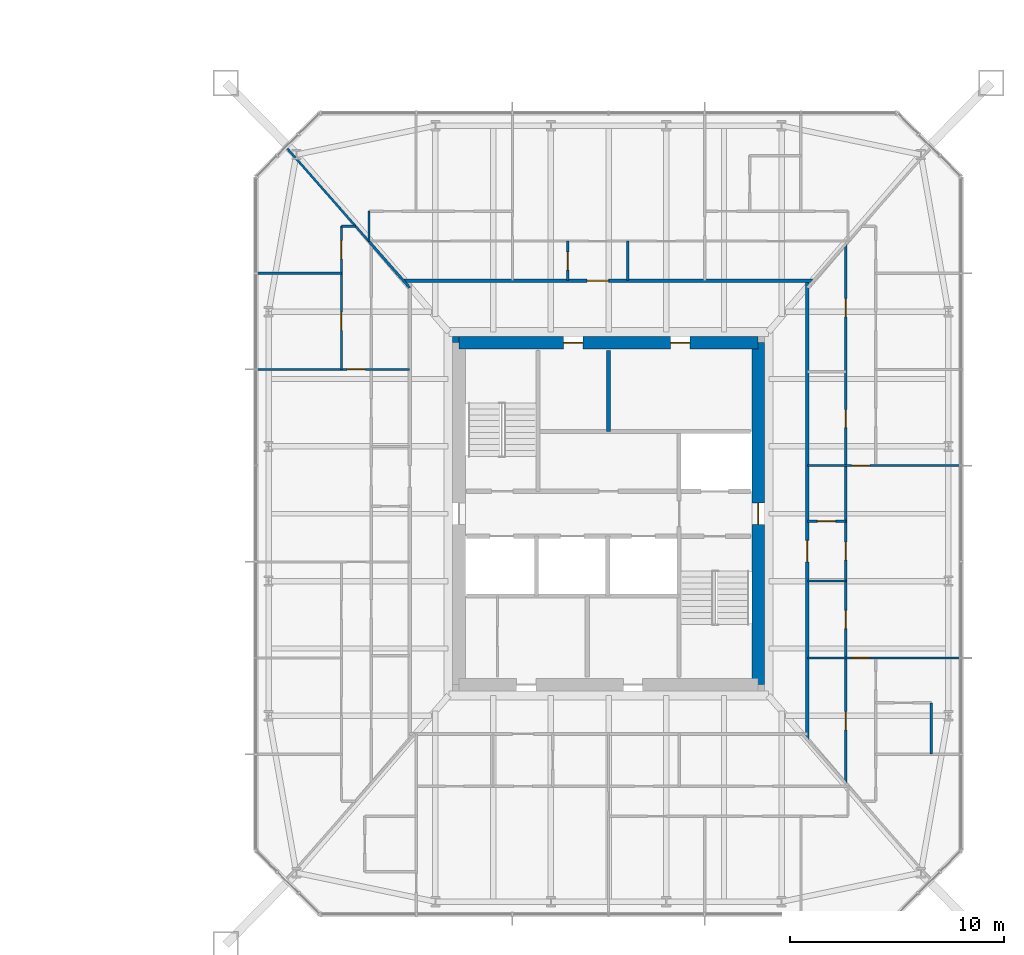
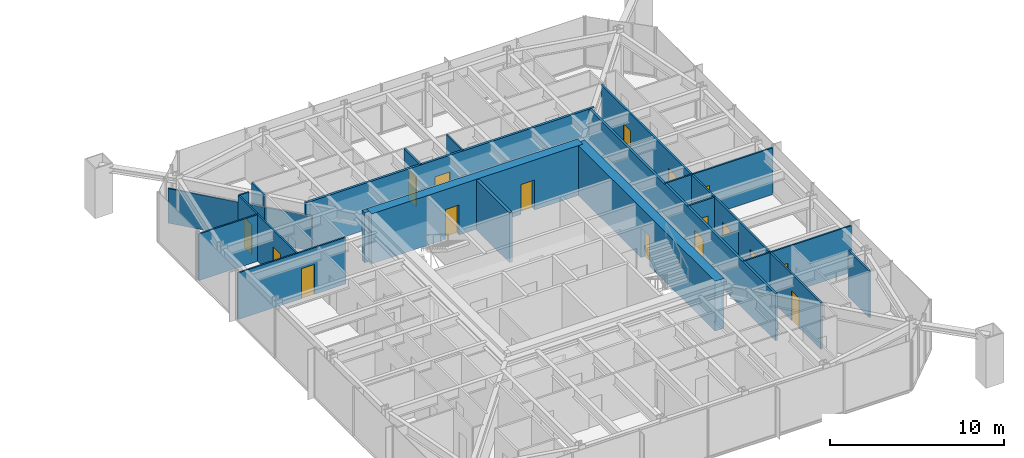
# One storey, part 20 of 26: 21 walls, 17 doors, 17 openings.
"""IFC4 building model written with IfcOpenShell, lengths in metres."""

import ifcopenshell
import ifcopenshell.guid

model = None  # the IFC model being written
_history = None  # IfcOwnerHistory: only IFC2X3 demands one
_inside = {}  # id of a spatial element -> (the spatial element, [elements in it])
_under = {}  # id of a project, library or spatial element -> (it, [spatial elements below it])
_declared = {}  # id of a project -> (the project, [libraries it declares])
_typed = {}  # id of a type object -> (the type object, [elements of that type])
_made_of = {}  # id of a material, layer set ... -> (it, [elements and type objects made of it])


def new_model(schema):
    """Start an empty IFC model of exactly this schema.

    Asked for "IFC4X3", IfcOpenShell would pick the latest addendum, in which some entities
    have other attributes; the version numbers below select the first issue.
    IFC2X3 requires an IfcOwnerHistory on every rooted entity: one is made here for all.
    """
    global model, _history
    if schema == "IFC4X3":
        model = ifcopenshell.file(schema_version=(4, 3, 0, 0))
    else:
        model = ifcopenshell.file(schema=schema)
    _inside.clear()
    _under.clear()
    _declared.clear()
    _typed.clear()
    _made_of.clear()
    _history = None
    if model.schema == "IFC2X3":
        org = make("IfcOrganization", Name="unknown")
        user = make(
            "IfcPersonAndOrganization",
            ThePerson=make("IfcPerson", FamilyName="unknown"),
            TheOrganization=org,
        )
        app = make(
            "IfcApplication",
            ApplicationDeveloper=org,
            Version="unknown",
            ApplicationFullName="unknown",
            ApplicationIdentifier="unknown",
        )
        _history = make(
            "IfcOwnerHistory",
            OwningUser=user,
            OwningApplication=app,
            ChangeAction="ADDED",
            CreationDate=0,
        )
    return model


def make(cls, **values):
    """One entity of the class cls with the attributes given. An attribute that is None is left unset."""
    return model.create_entity(
        cls, **{name: value for name, value in values.items() if value is not None}
    )


def rooted(cls, **values):
    """An entity with a GlobalId (a new one), such as an element, a storey or a relation."""
    return make(cls, GlobalId=ifcopenshell.guid.new(), OwnerHistory=_history, **values)


def si_unit(unit_type, name, prefix=None):
    """IfcSIUnit, for example si_unit("LENGTHUNIT", "METRE", prefix="MILLI")."""
    return make("IfcSIUnit", UnitType=unit_type, Prefix=prefix, Name=name)


def assignment(units):
    """IfcUnitAssignment: the units of a project."""
    return None if units is None else make("IfcUnitAssignment", Units=units)


def point(xyz):
    """IfcCartesianPoint."""
    return None if xyz is None else make("IfcCartesianPoint", Coordinates=xyz)


def direction(xyz):
    """IfcDirection."""
    return None if xyz is None else make("IfcDirection", DirectionRatios=xyz)


def frame(location, z_axis=None, x_axis=None):
    """IfcAxis2Placement3D, a coordinate frame: its origin and axes. An axis left out is left unset."""
    return make(
        "IfcAxis2Placement3D",
        Location=point(location),
        Axis=direction(z_axis),
        RefDirection=direction(x_axis),
    )


def frame_2d(location, x_axis=None):
    """IfcAxis2Placement2D, a coordinate frame in the plane: its origin and x axis."""
    return make(
        "IfcAxis2Placement2D", Location=point(location), RefDirection=direction(x_axis)
    )


def origin():
    """The frame at (0, 0, 0) with its axes left unset."""
    return frame((0.0, 0.0, 0.0))


def place(relative_to, where):
    """IfcLocalPlacement: puts the frame where relative to a parent placement (None: the world)."""
    return make(
        "IfcLocalPlacement", PlacementRelTo=relative_to, RelativePlacement=where
    )


def context(
    kind, dimensions, precision=None, world=None, true_north=None, identifier=None
):
    """IfcGeometricRepresentationContext, for example the 3D "Model" context."""
    return make(
        "IfcGeometricRepresentationContext",
        ContextIdentifier=identifier,
        ContextType=kind,
        CoordinateSpaceDimension=dimensions,
        Precision=precision,
        WorldCoordinateSystem=world,
        TrueNorth=true_north,
    )


def subcontext(parent, identifier, kind, view, scale=None):
    """IfcGeometricRepresentationSubContext, for example "Body" below "Model"."""
    return make(
        "IfcGeometricRepresentationSubContext",
        ContextIdentifier=identifier,
        ContextType=kind,
        ParentContext=parent,
        TargetScale=scale,
        TargetView=view,
    )


def project(units=None, contexts=None):
    """IfcProject with its units and contexts."""
    return rooted(
        "IfcProject",
        Name="project",
        RepresentationContexts=contexts,
        UnitsInContext=assignment(units),
    )


def spatial(cls, under=None, at=None, **own):
    """A site, building, storey or space (cls), placed at a placement, below another one or the project."""
    s = rooted(cls, ObjectPlacement=at, **own)
    if under is not None:
        _under.setdefault(under.id(), (under, []))[1].append(s)
    return s


def profile(cls, at=None, kind="AREA", **sizes):
    """A parametric profile (cls). Its sizes go by their IFC names, for example OverallWidth=200.0."""
    return make(cls, ProfileType=kind, Position=at, **sizes)


def rectangle(**sizes):
    """IfcRectangleProfileDef."""
    return profile("IfcRectangleProfileDef", **sizes)


def extrude(swept, where, along, depth):
    """IfcExtrudedAreaSolid: the profile swept, set in the frame where, extruded along a direction by depth."""
    return make(
        "IfcExtrudedAreaSolid",
        SweptArea=swept,
        Position=where,
        ExtrudedDirection=direction(along),
        Depth=depth,
    )


def shape(context_of_items, identifier, shape_type, items):
    """IfcShapeRepresentation: the items that make up one representation, for example the "Body"."""
    return make(
        "IfcShapeRepresentation",
        ContextOfItems=context_of_items,
        RepresentationIdentifier=identifier,
        RepresentationType=shape_type,
        Items=items,
    )


def material(Name=None, Category=None):
    """IfcMaterial."""
    return make("IfcMaterial", Name=Name, Category=Category)


def layer(
    of_material, thickness, ventilated=None, Name=None, Category=None, Priority=None
):
    """IfcMaterialLayer: one layer of a wall or slab, of a material (None: an air gap)."""
    return make(
        "IfcMaterialLayer",
        Material=of_material,
        LayerThickness=thickness,
        IsVentilated=ventilated,
        Name=Name,
        Category=Category,
        Priority=Priority,
    )


def layer_set(layers, Name=None):
    """IfcMaterialLayerSet."""
    return make("IfcMaterialLayerSet", MaterialLayers=layers, LayerSetName=Name)


def made_of(thing, what):
    """Note that an element or type object is made of a material, layer set ...; save() writes the relation."""
    if what is not None:
        _made_of.setdefault(what.id(), (what, []))[1].append(thing)
    return thing


def type_object(cls, material=None, **own):
    """A type object (cls), such as IfcWallType, which elements share."""
    return made_of(rooted(cls, **own), material)


def element(
    cls,
    number,
    at=None,
    inside=None,
    cuts=None,
    type_object=None,
    material=None,
    context=None,
    identifier="Body",
    shape_type=None,
    held_by="IfcProductDefinitionShape",
    body=None,
    shapes=None,
    **own,
):
    """One element of the class cls, such as IfcWall. Its Tag is "e" and its number.

    at: its placement. inside: the storey or other place that contains it. cuts: it is an
    opening in that element (IfcRelVoidsElement). A single representation is given by context,
    identifier, shape_type and body (its items); several are given by shapes. held_by: the class
    of the entity that holds the representations. save() writes the other relations.
    """
    e = rooted(cls, Tag="e%d" % number, ObjectPlacement=at, **own)
    if body is not None:
        shapes = [shape(context, identifier, shape_type, body)]
    if shapes is not None:
        e.Representation = make(held_by, Representations=shapes)
    if inside is not None:
        _inside.setdefault(inside.id(), (inside, []))[1].append(e)
    if cuts is not None:
        rooted(
            "IfcRelVoidsElement", RelatingBuildingElement=cuts, RelatedOpeningElement=e
        )
    if type_object is not None:
        _typed.setdefault(type_object.id(), (type_object, []))[1].append(e)
    return made_of(e, material)


def fill(opening, filler):
    """IfcRelFillsElement: the door or window that sits in an opening."""
    return rooted(
        "IfcRelFillsElement",
        RelatingOpeningElement=opening,
        RelatedBuildingElement=filler,
    )


def aggregate(whole, parts):
    """IfcRelAggregates: a whole, such as a stair, and the parts it consists of."""
    return rooted("IfcRelAggregates", RelatingObject=whole, RelatedObjects=parts)


def save(model, path):
    """Write the relations noted so far, then the file.

    IfcRelAggregates (storeys below a building ...), IfcRelContainedInSpatialStructure (elements
    in a storey), IfcRelDefinesByType, IfcRelAssociatesMaterial and IfcRelDeclares: one each for
    every whole, place, type object, material and project.
    """
    for whole, parts in _under.values():
        aggregate(whole, parts)
    for where, things in _inside.values():
        rooted(
            "IfcRelContainedInSpatialStructure",
            RelatedElements=things,
            RelatingStructure=where,
        )
    for kind, things in _typed.values():
        rooted("IfcRelDefinesByType", RelatedObjects=things, RelatingType=kind)
    for what, things in _made_of.values():
        rooted("IfcRelAssociatesMaterial", RelatedObjects=things, RelatingMaterial=what)
    for by, libraries in _declared.values():
        rooted("IfcRelDeclares", RelatingContext=by, RelatedDefinitions=libraries)
    model.write(path)


model = new_model("IFC4")

# Units and contexts
model_context = context("Model", 3, precision=1e-05, world=origin(), true_north=direction((0.0, 1.0)))
body_context = subcontext(model_context, "Body", "Model", "MODEL_VIEW")
ifc_project = project(units=[si_unit("LENGTHUNIT", "METRE"), si_unit("AREAUNIT", "SQUARE_METRE"), si_unit("VOLUMEUNIT", "CUBIC_METRE"), si_unit("PLANEANGLEUNIT", "RADIAN"), si_unit("MASSUNIT", "GRAM", prefix="KILO")], contexts=[model_context])

# Site, building, storey
site_placement = place(None, origin())
site = spatial("IfcSite", under=ifc_project, at=site_placement, CompositionType="ELEMENT")
building_placement = place(site_placement, origin())
building = spatial("IfcBuilding", under=site, at=building_placement, Name="Iwan Alto Co-Living Towers", CompositionType="ELEMENT")
storey_placement = place(building_placement, frame((0.0, 0.0, 39.5)))
storey = spatial("IfcBuildingStorey", under=building, at=storey_placement, Name="L10", CompositionType="ELEMENT", Elevation=39.5)

# Wall, opening, door
ifc_material_1 = material(Name="Gypsum board")
ifc_layer_1 = layer(ifc_material_1, 0.02490234375, Name="Board", Category="Finish")
ifc_material_2 = material(Name="Steel ASTM A1003 ST33H cold-formed studs", Category="steel")
ifc_layer_2 = layer(ifc_material_2, 0.10009765625, Name="Studs", Category="Framing")
ifc_layer_3 = layer(ifc_material_1, 0.02490234375, Name="Board", Category="Finish")
ifc_layer_set_1 = layer_set([ifc_layer_1, ifc_layer_2, ifc_layer_3], Name="CORRIDOR WALL 150")
wall_type_1 = type_object("IfcWallType", Name="CORRIDOR WALL 150", PredefinedType="PARTITIONING", material=ifc_layer_set_1)
wall_1_placement = place(storey_placement, frame((53.407958984375, 10.89990234375, 0.0), z_axis=(0.0, 0.0, 1.0), x_axis=(1.0, 0.0, 0.0)))
wall_1 = element("IfcWall", 1, at=wall_1_placement, inside=storey, type_object=wall_type_1, Name="Partition L10", PredefinedType="PARTITIONING", context=body_context, shape_type="SweptSolid", body=[
    extrude(rectangle(XDim=19.18408203125, YDim=0.14990234375, at=frame_2d((9.592041015625, 0.0))), origin(), (0.0, 0.0, 1.0), 3.27001953125),
])
opening_1_placement = place(wall_1_placement, frame((8.592041015625, 0.0, 0.0)))
opening_1 = element("IfcOpeningElement", 2, at=opening_1_placement, cuts=wall_1, Name="Opening D3", PredefinedType="OPENING", context=body_context, shape_type="SweptSolid", body=[
    extrude(rectangle(XDim=1.0, YDim=2.10009765625, at=frame_2d((0.5, 1.050048828125))), frame((0.0, 0.0849609375, 0.0), z_axis=(0.0, -1.0, 0.0), x_axis=(1.0, 0.0, 0.0)), (0.0, 0.0, 1.0), 0.169921875),
])
ifc_material_3 = material(Name="Steel frame with timber leaf", Category="steel")
door_type_1 = type_object("IfcDoorType", Name="FLAT ENTRANCE DOOR FD30S 1000X2100", OperationType="SINGLE_SWING_LEFT", PredefinedType="DOOR", material=ifc_material_3)
door_1_placement = place(opening_1_placement, origin())
door_1 = element("IfcDoor", 3, at=door_1_placement, inside=storey, type_object=door_type_1, Name="Apartment foyer door L10", OperationType="SINGLE_SWING_LEFT", OverallHeight=2.10009765625, OverallWidth=1.0, PredefinedType="DOOR", context=body_context, shape_type="SweptSolid", body=[
    extrude(rectangle(XDim=1.0, YDim=2.10009765625, at=frame_2d((0.5, 1.050048828125))), frame((0.0, 0.02490234375, 0.0), z_axis=(0.0, -1.0, 0.0), x_axis=(1.0, 0.0, 0.0)), (0.0, 0.0, 1.0), 0.050048828125),
])
fill(opening_1, door_1)

wall_2_placement = place(storey_placement, frame((72.300048828125, -10.568115234375, 0.0), z_axis=(0.0, 0.0, 1.0), x_axis=(0.0, 1.0, 0.0)))
wall_2 = element("IfcWall", 4, at=wall_2_placement, inside=storey, type_object=wall_type_1, Name="Partition L10", PredefinedType="PARTITIONING", context=body_context, shape_type="SweptSolid", body=[
    extrude(rectangle(XDim=21.468017578125, YDim=0.14990234375, at=frame_2d((10.73388671875, 0.0))), origin(), (0.0, 0.0, 1.0), 3.27001953125),
])
opening_2_placement = place(wall_2_placement, frame((8.318115234375, 0.0, 0.0)))
opening_2 = element("IfcOpeningElement", 5, at=opening_2_placement, cuts=wall_2, Name="Opening D3", PredefinedType="OPENING", context=body_context, shape_type="SweptSolid", body=[
    extrude(rectangle(XDim=1.0, YDim=2.10009765625, at=frame_2d((0.5, 1.050048828125))), frame((0.0, 0.0849609375, 0.0), z_axis=(0.0, -1.0, 0.0), x_axis=(1.0, 0.0, 0.0)), (0.0, 0.0, 1.0), 0.169921875),
])
door_2_placement = place(opening_2_placement, frame((1.0, 0.0, 0.0), z_axis=(0.0, 0.0, 1.0), x_axis=(-1.0, 0.0, 0.0)))
door_2 = element("IfcDoor", 6, at=door_2_placement, inside=storey, type_object=door_type_1, Name="Apartment foyer door L10", OperationType="SINGLE_SWING_RIGHT", OverallHeight=2.10009765625, OverallWidth=1.0, PredefinedType="DOOR", context=body_context, shape_type="SweptSolid", body=[
    extrude(rectangle(XDim=1.0, YDim=2.10009765625, at=frame_2d((0.5, 1.050048828125))), frame((0.0, 0.02490234375, 0.0), z_axis=(0.0, -1.0, 0.0), x_axis=(1.0, 0.0, 0.0)), (0.0, 0.0, 1.0), 0.050048828125),
])
fill(opening_2, door_2)

ifc_layer_4 = layer(ifc_material_1, 0.012451171875, Name="Board", Category="Finish")
ifc_layer_5 = layer(ifc_material_2, 0.074951171875, Name="Studs", Category="Framing")
ifc_layer_6 = layer(ifc_material_1, 0.012451171875, Name="Board", Category="Finish")
ifc_layer_set_2 = layer_set([ifc_layer_4, ifc_layer_5, ifc_layer_6], Name="PARTITION 100")
wall_type_2 = type_object("IfcWallType", Name="PARTITION 100", PredefinedType="PARTITIONING", material=ifc_layer_set_2)
wall_3_placement = place(storey_placement, frame((72.300048828125, -6.75, 0.0), z_axis=(0.0, 0.0, 1.0), x_axis=(1.0, 0.0, 0.0)))
wall_3 = element("IfcWall", 7, at=wall_3_placement, inside=storey, type_object=wall_type_2, Name="Partition L10", PredefinedType="PARTITIONING", context=body_context, shape_type="SweptSolid", body=[
    extrude(rectangle(XDim=7.139892578125, YDim=0.10009765625, at=frame_2d((3.56982421875, 0.0))), origin(), (0.0, 0.0, 1.0), 3.27001953125),
])
opening_3_placement = place(wall_3_placement, frame((2.074951171875, 0.0, 0.0)))
opening_3 = element("IfcOpeningElement", 8, at=opening_3_placement, cuts=wall_3, Name="Opening D2", PredefinedType="OPENING", context=body_context, shape_type="SweptSolid", body=[
    extrude(rectangle(XDim=0.85009765625, YDim=2.10009765625, at=frame_2d((0.425048828125, 1.050048828125))), frame((0.0, 0.06005859375, 0.0), z_axis=(0.0, -1.0, 0.0), x_axis=(1.0, 0.0, 0.0)), (0.0, 0.0, 1.0), 0.1201171875),
])
ifc_material_4 = material(Name="Timber leaf in steel frame", Category="steel")
door_type_2 = type_object("IfcDoorType", Name="ROOM DOOR 850X2100", OperationType="SINGLE_SWING_LEFT", PredefinedType="DOOR", material=ifc_material_4)
door_3_placement = place(opening_3_placement, origin())
door_3 = element("IfcDoor", 9, at=door_3_placement, inside=storey, type_object=door_type_2, Name="Apartment hall door L10", OperationType="SINGLE_SWING_LEFT", OverallHeight=2.10009765625, OverallWidth=0.85009765625, PredefinedType="DOOR", context=body_context, shape_type="SweptSolid", body=[
    extrude(rectangle(XDim=0.85009765625, YDim=2.10009765625, at=frame_2d((0.425048828125, 1.050048828125))), frame((0.0, 0.02490234375, 0.0), z_axis=(0.0, -1.0, 0.0), x_axis=(1.0, 0.0, 0.0)), (0.0, 0.0, 1.0), 0.050048828125),
])
fill(opening_3, door_3)

# Wall
wall_4_placement = place(storey_placement, frame((72.300048828125, -3.14990234375, 0.0), z_axis=(0.0, 0.0, 1.0), x_axis=(1.0, 0.0, 0.0)))
element("IfcWall", 10, at=wall_4_placement, inside=storey, type_object=wall_type_2, Name="Partition L10", PredefinedType="PARTITIONING", context=body_context, shape_type="SweptSolid", body=[
    extrude(rectangle(XDim=1.800048828125, YDim=0.10009765625, at=frame_2d((0.89990234375, 0.0))), origin(), (0.0, 0.0, 1.0), 2.586669921875),
])

# Wall, opening, door
wall_5_placement = place(storey_placement, frame((72.300048828125, 2.25, 0.0), z_axis=(0.0, 0.0, 1.0), x_axis=(1.0, 0.0, 0.0)))
wall_5 = element("IfcWall", 11, at=wall_5_placement, inside=storey, type_object=wall_type_2, Name="Partition L10", PredefinedType="PARTITIONING", context=body_context, shape_type="SweptSolid", body=[
    extrude(rectangle(XDim=7.139892578125, YDim=0.10009765625, at=frame_2d((3.56982421875, 0.0))), origin(), (0.0, 0.0, 1.0), 3.27001953125),
])
opening_4_placement = place(wall_5_placement, frame((2.074951171875, 0.0, 0.0)))
opening_4 = element("IfcOpeningElement", 12, at=opening_4_placement, cuts=wall_5, Name="Opening D2", PredefinedType="OPENING", context=body_context, shape_type="SweptSolid", body=[
    extrude(rectangle(XDim=0.85009765625, YDim=2.10009765625, at=frame_2d((0.425048828125, 1.050048828125))), frame((0.0, 0.06005859375, 0.0), z_axis=(0.0, -1.0, 0.0), x_axis=(1.0, 0.0, 0.0)), (0.0, 0.0, 1.0), 0.1201171875),
])
door_4_placement = place(opening_4_placement, frame((0.85009765625, 0.0, 0.0), z_axis=(0.0, 0.0, 1.0), x_axis=(-1.0, 0.0, 0.0)))
door_4 = element("IfcDoor", 13, at=door_4_placement, inside=storey, type_object=door_type_2, Name="Apartment hall door L10", OperationType="SINGLE_SWING_RIGHT", OverallHeight=2.10009765625, OverallWidth=0.85009765625, PredefinedType="DOOR", context=body_context, shape_type="SweptSolid", body=[
    extrude(rectangle(XDim=0.85009765625, YDim=2.10009765625, at=frame_2d((0.425048828125, 1.050048828125))), frame((0.0, 0.02490234375, 0.0), z_axis=(0.0, -1.0, 0.0), x_axis=(1.0, 0.0, 0.0)), (0.0, 0.0, 1.0), 0.050048828125),
])
fill(opening_4, door_4)

wall_6_placement = place(storey_placement, frame((46.56005859375, 6.75, 0.0), z_axis=(0.0, 0.0, 1.0), x_axis=(1.0, 0.0, 0.0)))
wall_6 = element("IfcWall", 14, at=wall_6_placement, inside=storey, type_object=wall_type_2, Name="Partition L10", PredefinedType="PARTITIONING", context=body_context, shape_type="SweptSolid", body=[
    extrude(rectangle(XDim=7.139892578125, YDim=0.10009765625, at=frame_2d((3.56982421875, 0.0))), origin(), (0.0, 0.0, 1.0), 3.27001953125),
])
opening_5_placement = place(wall_6_placement, frame((4.215087890625, 0.0, 0.0)))
opening_5 = element("IfcOpeningElement", 15, at=opening_5_placement, cuts=wall_6, Name="Opening D2", PredefinedType="OPENING", context=body_context, shape_type="SweptSolid", body=[
    extrude(rectangle(XDim=0.85009765625, YDim=2.10009765625, at=frame_2d((0.425048828125, 1.050048828125))), frame((0.0, 0.06005859375, 0.0), z_axis=(0.0, -1.0, 0.0), x_axis=(1.0, 0.0, 0.0)), (0.0, 0.0, 1.0), 0.1201171875),
])
door_5_placement = place(opening_5_placement, frame((0.85009765625, 0.0, 0.0), z_axis=(0.0, 0.0, 1.0), x_axis=(-1.0, 0.0, 0.0)))
door_5 = element("IfcDoor", 16, at=door_5_placement, inside=storey, type_object=door_type_2, Name="Apartment hall door L10", OperationType="SINGLE_SWING_LEFT", OverallHeight=2.10009765625, OverallWidth=0.85009765625, PredefinedType="DOOR", context=body_context, shape_type="SweptSolid", body=[
    extrude(rectangle(XDim=0.85009765625, YDim=2.10009765625, at=frame_2d((0.425048828125, 1.050048828125))), frame((0.0, 0.02490234375, 0.0), z_axis=(0.0, -1.0, 0.0), x_axis=(1.0, 0.0, 0.0)), (0.0, 0.0, 1.0), 0.050048828125),
])
fill(opening_5, door_5)

# Walls
wall_7_placement = place(storey_placement, frame((46.56005859375, 11.25, 0.0), z_axis=(0.0, 0.0, 1.0), x_axis=(1.0, 0.0, 0.0)))
element("IfcWall", 17, at=wall_7_placement, inside=storey, type_object=wall_type_2, Name="Partition L10", PredefinedType="PARTITIONING", context=body_context, shape_type="SweptSolid", body=[
    extrude(rectangle(XDim=3.93994140625, YDim=0.10009765625, at=frame_2d((1.969970703125, 0.0))), origin(), (0.0, 0.0, 1.0), 3.27001953125),
])
wall_8_placement = place(storey_placement, frame((50.5, 13.449951171875, 0.0), z_axis=(0.0, 0.0, 1.0), x_axis=(1.0, 0.0, 0.0)))
element("IfcWall", 18, at=wall_8_placement, inside=storey, type_object=wall_type_2, Name="Partition L10", PredefinedType="PARTITIONING", context=body_context, shape_type="SweptSolid", body=[
    extrude(rectangle(XDim=0.6640625, YDim=0.10009765625, at=frame_2d((0.33203125, 0.0))), origin(), (0.0, 0.0, 1.0), 3.27001953125),
])
wall_9_placement = place(storey_placement, frame((63.89990234375, 10.89990234375, 0.0), z_axis=(0.0, 0.0, 1.0), x_axis=(0.0, 1.0, 0.0)))
element("IfcWall", 19, at=wall_9_placement, inside=storey, type_object=wall_type_2, Name="Partition L10", PredefinedType="PARTITIONING", context=body_context, shape_type="SweptSolid", body=[
    extrude(rectangle(XDim=1.85009765625, YDim=0.10009765625, at=frame_2d((0.925048828125, 0.0))), origin(), (0.0, 0.0, 1.0), 3.27001953125),
])
wall_10_placement = place(storey_placement, frame((51.800048828125, 12.72705078125, 0.0), z_axis=(0.0, 0.0, 1.0), x_axis=(0.0, 1.0, 0.0)))
element("IfcWall", 20, at=wall_10_placement, inside=storey, type_object=wall_type_2, Name="Partition L10", PredefinedType="PARTITIONING", context=body_context, shape_type="SweptSolid", body=[
    extrude(rectangle(XDim=1.4228515625, YDim=0.10009765625, at=frame_2d((0.71142578125, 0.0))), origin(), (0.0, 0.0, 1.0), 3.27001953125),
])

# Wall, openings, doors
wall_11_placement = place(storey_placement, frame((50.5, 6.75, 0.0), z_axis=(0.0, 0.0, 1.0), x_axis=(0.0, 1.0, 0.0)))
wall_11 = element("IfcWall", 21, at=wall_11_placement, inside=storey, type_object=wall_type_2, Name="Partition L10", PredefinedType="PARTITIONING", context=body_context, shape_type="SweptSolid", body=[
    extrude(rectangle(XDim=6.699951171875, YDim=0.10009765625, at=frame_2d((3.35009765625, 0.0))), origin(), (0.0, 0.0, 1.0), 3.27001953125),
])
opening_6_placement = place(wall_11_placement, frame((1.824951171875, 0.0, 0.0)))
opening_6 = element("IfcOpeningElement", 22, at=opening_6_placement, cuts=wall_11, Name="Opening D2", PredefinedType="OPENING", context=body_context, shape_type="SweptSolid", body=[
    extrude(rectangle(XDim=0.85009765625, YDim=2.10009765625, at=frame_2d((0.425048828125, 1.050048828125))), frame((0.0, 0.06005859375, 0.0), z_axis=(0.0, -1.0, 0.0), x_axis=(1.0, 0.0, 0.0)), (0.0, 0.0, 1.0), 0.1201171875),
])
opening_7_placement = place(wall_11_placement, frame((5.175048828125, 0.0, 0.0)))
opening_7 = element("IfcOpeningElement", 23, at=opening_7_placement, cuts=wall_11, Name="Opening D2", PredefinedType="OPENING", context=body_context, shape_type="SweptSolid", body=[
    extrude(rectangle(XDim=0.85009765625, YDim=2.10009765625, at=frame_2d((0.425048828125, 1.050048828125))), frame((0.0, 0.06005859375, 0.0), z_axis=(0.0, -1.0, 0.0), x_axis=(1.0, 0.0, 0.0)), (0.0, 0.0, 1.0), 0.1201171875),
])
door_6_placement = place(opening_6_placement, origin())
door_6 = element("IfcDoor", 24, at=door_6_placement, inside=storey, type_object=door_type_2, Name="Study door L10", OperationType="SINGLE_SWING_LEFT", OverallHeight=2.10009765625, OverallWidth=0.85009765625, PredefinedType="DOOR", context=body_context, shape_type="SweptSolid", body=[
    extrude(rectangle(XDim=0.85009765625, YDim=2.10009765625, at=frame_2d((0.425048828125, 1.050048828125))), frame((0.0, 0.02490234375, 0.0), z_axis=(0.0, -1.0, 0.0), x_axis=(1.0, 0.0, 0.0)), (0.0, 0.0, 1.0), 0.050048828125),
])
fill(opening_6, door_6)
door_7_placement = place(opening_7_placement, origin())
door_7 = element("IfcDoor", 25, at=door_7_placement, inside=storey, type_object=door_type_2, Name="Bedroom door L10", OperationType="SINGLE_SWING_LEFT", OverallHeight=2.10009765625, OverallWidth=0.85009765625, PredefinedType="DOOR", context=body_context, shape_type="SweptSolid", body=[
    extrude(rectangle(XDim=0.85009765625, YDim=2.10009765625, at=frame_2d((0.425048828125, 1.050048828125))), frame((0.0, 0.02490234375, 0.0), z_axis=(0.0, -1.0, 0.0), x_axis=(1.0, 0.0, 0.0)), (0.0, 0.0, 1.0), 0.050048828125),
])
fill(opening_7, door_7)

# Walls
wall_12_placement = place(storey_placement, frame((51.801025390625, 12.72802734375, 0.0), z_axis=(0.0, 0.0, 1.0), x_axis=(-0.660267638736, 0.751030389024, 0.0)))
element("IfcWall", 26, at=wall_12_placement, inside=storey, type_object=wall_type_2, Name="Partition L10", PredefinedType="PARTITIONING", context=body_context, shape_type="SweptSolid", body=[
    extrude(rectangle(XDim=5.8369140625, YDim=0.10009765625, at=frame_2d((2.91845703125, 0.0))), origin(), (0.0, 0.0, 1.0), 2.42919921875),
])
ifc_material_5 = material(Name="Concrete f'c 70 MPa", Category="concrete")
ifc_layer_7 = layer(ifc_material_5, 0.199951171875)
ifc_layer_set_3 = layer_set([ifc_layer_7], Name="SHAFT WALL 200")
wall_type_3 = type_object("IfcWallType", Name="SHAFT WALL 200", PredefinedType="SOLIDWALL", material=ifc_layer_set_3)
wall_13_placement = place(storey_placement, frame((63.0, 3.85009765625, 0.0), z_axis=(0.0, 0.0, 1.0), x_axis=(0.0, 1.0, 0.0)))
element("IfcWall", 27, at=wall_13_placement, inside=storey, type_object=wall_type_3, Name="Shaft wall L10", PredefinedType="SOLIDWALL", context=body_context, shape_type="SweptSolid", body=[
    extrude(rectangle(XDim=3.789794921875, YDim=0.199951171875, at=frame_2d((1.89501953125, 0.0))), origin(), (0.0, 0.0, 1.0), 3.5),
])
ifc_material_6 = material(Name="Concrete f'c 70 MPa", Category="concrete")
ifc_layer_8 = layer(ifc_material_6, 0.300048828125)
ifc_layer_set_4 = layer_set([ifc_layer_8], Name="T2 CORE CORNER FILL 300")
wall_type_4 = type_object("IfcWallType", Name="T2 CORE CORNER FILL 300", PredefinedType="SOLIDWALL", material=ifc_layer_set_4)
wall_14_placement = place(storey_placement, frame((55.699951171875, 8.14990234375, 0.0), z_axis=(0.0, 0.0, 1.0), x_axis=(1.0, 0.0, 0.0)))
element("IfcWall", 28, at=wall_14_placement, inside=storey, type_object=wall_type_4, Name="T2 core corner NW L10", PredefinedType="SOLIDWALL", context=body_context, shape_type="SweptSolid", body=[
    extrude(rectangle(XDim=0.300048828125, YDim=0.300048828125, at=frame_2d((0.14990234375, 0.0))), origin(), (0.0, 0.0, 1.0), 3.5),
])

# Wall, openings, doors
ifc_material_7 = material(Name="Concrete f'c 70 MPa", Category="concrete")
ifc_layer_9 = layer(ifc_material_7, 0.60009765625)
ifc_layer_set_5 = layer_set([ifc_layer_9], Name="T2 CORE WALL 600")
wall_type_5 = type_object("IfcWallType", Name="T2 CORE WALL 600", PredefinedType="SHEAR", material=ifc_layer_set_5)
wall_15_placement = place(storey_placement, frame((70.0, 8.0, 0.0), z_axis=(0.0, 0.0, 1.0), x_axis=(-1.0, 0.0, 0.0)))
wall_15 = element("IfcWall", 29, at=wall_15_placement, inside=storey, type_object=wall_type_5, Name="T2 core wall N L10", PredefinedType="SHEAR", context=body_context, shape_type="SweptSolid", body=[
    extrude(rectangle(XDim=14.0, YDim=0.60009765625, at=frame_2d((7.0, 0.0))), origin(), (0.0, 0.0, 1.0), 3.5),
])
opening_8_placement = place(wall_15_placement, frame((8.199951171875, 0.0, 0.0)))
opening_8 = element("IfcOpeningElement", 30, at=opening_8_placement, cuts=wall_15, Name="Opening D8", PredefinedType="OPENING", context=body_context, shape_type="SweptSolid", body=[
    extrude(rectangle(XDim=0.89990234375, YDim=2.10009765625, at=frame_2d((0.449951171875, 1.050048828125))), frame((0.0, 0.31005859375, 0.0), z_axis=(0.0, -1.0, 0.0), x_axis=(1.0, 0.0, 0.0)), (0.0, 0.0, 1.0), 0.6201171875),
])
opening_9_placement = place(wall_15_placement, frame((3.199951171875, 0.0, 0.0)))
opening_9 = element("IfcOpeningElement", 31, at=opening_9_placement, cuts=wall_15, Name="Opening D8", PredefinedType="OPENING", context=body_context, shape_type="SweptSolid", body=[
    extrude(rectangle(XDim=0.89990234375, YDim=2.10009765625, at=frame_2d((0.449951171875, 1.050048828125))), frame((0.0, 0.31005859375, 0.0), z_axis=(0.0, -1.0, 0.0), x_axis=(1.0, 0.0, 0.0)), (0.0, 0.0, 1.0), 0.6201171875),
])
ifc_material_8 = material(Name="Steel frame with timber leaf", Category="steel")
door_type_3 = type_object("IfcDoorType", Name="RISER DOOR FD120 900X2100", OperationType="SINGLE_SWING_LEFT", PredefinedType="DOOR", material=ifc_material_8)
door_8_placement = place(opening_8_placement, origin())
door_8 = element("IfcDoor", 32, at=door_8_placement, inside=storey, type_object=door_type_3, Name="Electrical riser core door L10", OperationType="SINGLE_SWING_RIGHT", OverallHeight=2.10009765625, OverallWidth=0.89990234375, PredefinedType="DOOR", context=body_context, shape_type="SweptSolid", body=[
    extrude(rectangle(XDim=0.89990234375, YDim=2.10009765625, at=frame_2d((0.449951171875, 1.050048828125))), frame((0.0, 0.02490234375, 0.0), z_axis=(0.0, -1.0, 0.0), x_axis=(1.0, 0.0, 0.0)), (0.0, 0.0, 1.0), 0.050048828125),
])
fill(opening_8, door_8)
door_9_placement = place(opening_9_placement, origin())
door_9 = element("IfcDoor", 33, at=door_9_placement, inside=storey, type_object=door_type_3, Name="Water and drainage riser core door L10", OperationType="SINGLE_SWING_RIGHT", OverallHeight=2.10009765625, OverallWidth=0.89990234375, PredefinedType="DOOR", context=body_context, shape_type="SweptSolid", body=[
    extrude(rectangle(XDim=0.89990234375, YDim=2.10009765625, at=frame_2d((0.449951171875, 1.050048828125))), frame((0.0, 0.02490234375, 0.0), z_axis=(0.0, -1.0, 0.0), x_axis=(1.0, 0.0, 0.0)), (0.0, 0.0, 1.0), 0.050048828125),
])
fill(opening_9, door_9)

# Wall, opening, door
wall_16_placement = place(storey_placement, frame((70.0, -8.0, 0.0), z_axis=(0.0, 0.0, 1.0), x_axis=(0.0, 1.0, 0.0)))
wall_16 = element("IfcWall", 34, at=wall_16_placement, inside=storey, type_object=wall_type_5, Name="T2 core wall E L10", PredefinedType="SHEAR", context=body_context, shape_type="SweptSolid", body=[
    extrude(rectangle(XDim=16.0, YDim=0.60009765625, at=frame_2d((8.0, 0.0))), origin(), (0.0, 0.0, 1.0), 3.5),
])
opening_10_placement = place(wall_16_placement, frame((7.5, 0.0, 0.0)))
opening_10 = element("IfcOpeningElement", 35, at=opening_10_placement, cuts=wall_16, Name="Opening D7", PredefinedType="OPENING", context=body_context, shape_type="SweptSolid", body=[
    extrude(rectangle(XDim=1.0, YDim=2.10009765625, at=frame_2d((0.5, 1.050048828125))), frame((0.0, 0.31005859375, 0.0), z_axis=(0.0, -1.0, 0.0), x_axis=(1.0, 0.0, 0.0)), (0.0, 0.0, 1.0), 0.6201171875),
])
ifc_material_9 = material(Name="Steel frame with timber leaf", Category="steel")
door_type_4 = type_object("IfcDoorType", Name="CORE DOOR FD120S 1000X2100", OperationType="SINGLE_SWING_LEFT", PredefinedType="DOOR", material=ifc_material_9)
door_10_placement = place(opening_10_placement, origin())
door_10 = element("IfcDoor", 36, at=door_10_placement, inside=storey, type_object=door_type_4, Name="Firefighting lobby core door L10", OperationType="SINGLE_SWING_LEFT", OverallHeight=2.10009765625, OverallWidth=1.0, PredefinedType="DOOR", context=body_context, shape_type="SweptSolid", body=[
    extrude(rectangle(XDim=1.0, YDim=2.10009765625, at=frame_2d((0.5, 1.050048828125))), frame((0.0, 0.02490234375, 0.0), z_axis=(0.0, -1.0, 0.0), x_axis=(1.0, 0.0, 0.0)), (0.0, 0.0, 1.0), 0.050048828125),
])
fill(opening_10, door_10)

ifc_material_10 = material(Name="Cement board")
ifc_layer_10 = layer(ifc_material_10, 0.012451171875, Name="Board", Category="Finish")
ifc_layer_11 = layer(ifc_material_2, 0.094970703125, Name="Studs", Category="Framing")
ifc_layer_12 = layer(ifc_material_10, 0.012451171875, Name="Board", Category="Finish")
ifc_layer_set_6 = layer_set([ifc_layer_10, ifc_layer_11, ifc_layer_12], Name="WET AREA PARTITION 120")
wall_type_6 = type_object("IfcWallType", Name="WET AREA PARTITION 120", PredefinedType="PARTITIONING", material=ifc_layer_set_6)
wall_17_placement = place(storey_placement, frame((72.300048828125, -0.35009765625, 0.0), z_axis=(0.0, 0.0, 1.0), x_axis=(1.0, 0.0, 0.0)))
wall_17 = element("IfcWall", 37, at=wall_17_placement, inside=storey, type_object=wall_type_6, Name="Partition L10", PredefinedType="PARTITIONING", context=body_context, shape_type="SweptSolid", body=[
    extrude(rectangle(XDim=1.800048828125, YDim=0.1201171875, at=frame_2d((0.89990234375, 0.0))), origin(), (0.0, 0.0, 1.0), 3.27001953125),
])
opening_11_placement = place(wall_17_placement, frame((0.47509765625, 0.0, 0.0)))
opening_11 = element("IfcOpeningElement", 38, at=opening_11_placement, cuts=wall_17, Name="Opening D2", PredefinedType="OPENING", context=body_context, shape_type="SweptSolid", body=[
    extrude(rectangle(XDim=0.85009765625, YDim=2.10009765625, at=frame_2d((0.425048828125, 1.050048828125))), frame((0.0, 0.070068359375, 0.0), z_axis=(0.0, -1.0, 0.0), x_axis=(1.0, 0.0, 0.0)), (0.0, 0.0, 1.0), 0.14013671875),
])
door_11_placement = place(opening_11_placement, origin())
door_11 = element("IfcDoor", 39, at=door_11_placement, inside=storey, type_object=door_type_2, Name="Bathroom door L10", OperationType="SINGLE_SWING_LEFT", OverallHeight=2.10009765625, OverallWidth=0.85009765625, PredefinedType="DOOR", context=body_context, shape_type="SweptSolid", body=[
    extrude(rectangle(XDim=0.85009765625, YDim=2.10009765625, at=frame_2d((0.425048828125, 1.050048828125))), frame((0.0, 0.02490234375, 0.0), z_axis=(0.0, -1.0, 0.0), x_axis=(1.0, 0.0, 0.0)), (0.0, 0.0, 1.0), 0.050048828125),
])
fill(opening_11, door_11)

# Wall
wall_18_placement = place(storey_placement, frame((78.10009765625, -11.25, 0.0), z_axis=(0.0, 0.0, 1.0), x_axis=(0.0, 1.0, 0.0)))
element("IfcWall", 40, at=wall_18_placement, inside=storey, type_object=wall_type_6, Name="Partition L10", PredefinedType="PARTITIONING", context=body_context, shape_type="SweptSolid", body=[
    extrude(rectangle(XDim=2.39990234375, YDim=0.1201171875, at=frame_2d((1.199951171875, 0.0))), origin(), (0.0, 0.0, 1.0), 3.27001953125),
])

# Wall, openings, doors
wall_19_placement = place(storey_placement, frame((74.10009765625, -12.614013671875, 0.0), z_axis=(0.0, 0.0, 1.0), x_axis=(0.0, 1.0, 0.0)))
wall_19 = element("IfcWall", 41, at=wall_19_placement, inside=storey, type_object=wall_type_6, Name="Partition L10", PredefinedType="PARTITIONING", context=body_context, shape_type="SweptSolid", body=[
    extrude(rectangle(XDim=25.22802734375, YDim=0.1201171875, at=frame_2d((12.614013671875, 0.0))), origin(), (0.0, 0.0, 1.0), 3.27001953125),
])
opening_12_placement = place(wall_19_placement, frame((7.239013671875, 0.0, 0.0)))
opening_12 = element("IfcOpeningElement", 42, at=opening_12_placement, cuts=wall_19, Name="Opening D2", PredefinedType="OPENING", context=body_context, shape_type="SweptSolid", body=[
    extrude(rectangle(XDim=0.85009765625, YDim=2.10009765625, at=frame_2d((0.425048828125, 1.050048828125))), frame((0.0, 0.070068359375, 0.0), z_axis=(0.0, -1.0, 0.0), x_axis=(1.0, 0.0, 0.0)), (0.0, 0.0, 1.0), 0.14013671875),
])
opening_13_placement = place(wall_19_placement, frame((10.43896484375, 0.0, 0.0)))
opening_13 = element("IfcOpeningElement", 43, at=opening_13_placement, cuts=wall_19, Name="Opening D2", PredefinedType="OPENING", context=body_context, shape_type="SweptSolid", body=[
    extrude(rectangle(XDim=0.85009765625, YDim=2.10009765625, at=frame_2d((0.425048828125, 1.050048828125))), frame((0.0, 0.070068359375, 0.0), z_axis=(0.0, -1.0, 0.0), x_axis=(1.0, 0.0, 0.0)), (0.0, 0.0, 1.0), 0.14013671875),
])
opening_14_placement = place(wall_19_placement, frame((2.507080078125, 0.0, 0.0)))
opening_14 = element("IfcOpeningElement", 44, at=opening_14_placement, cuts=wall_19, Name="Opening D2", PredefinedType="OPENING", context=body_context, shape_type="SweptSolid", body=[
    extrude(rectangle(XDim=0.85009765625, YDim=2.10009765625, at=frame_2d((0.425048828125, 1.050048828125))), frame((0.0, 0.070068359375, 0.0), z_axis=(0.0, -1.0, 0.0), x_axis=(1.0, 0.0, 0.0)), (0.0, 0.0, 1.0), 0.14013671875),
])
opening_15_placement = place(wall_19_placement, frame((16.638916015625, 0.0, 0.0)))
opening_15 = element("IfcOpeningElement", 45, at=opening_15_placement, cuts=wall_19, Name="Opening D2", PredefinedType="OPENING", context=body_context, shape_type="SweptSolid", body=[
    extrude(rectangle(XDim=0.85009765625, YDim=2.10009765625, at=frame_2d((0.425048828125, 1.050048828125))), frame((0.0, 0.070068359375, 0.0), z_axis=(0.0, -1.0, 0.0), x_axis=(1.0, 0.0, 0.0)), (0.0, 0.0, 1.0), 0.14013671875),
])
opening_16_placement = place(wall_19_placement, frame((21.821044921875, 0.0, 0.0)))
opening_16 = element("IfcOpeningElement", 46, at=opening_16_placement, cuts=wall_19, Name="Opening D2", PredefinedType="OPENING", context=body_context, shape_type="SweptSolid", body=[
    extrude(rectangle(XDim=0.85009765625, YDim=2.10009765625, at=frame_2d((0.425048828125, 1.050048828125))), frame((0.0, 0.070068359375, 0.0), z_axis=(0.0, -1.0, 0.0), x_axis=(1.0, 0.0, 0.0)), (0.0, 0.0, 1.0), 0.14013671875),
])
door_12_placement = place(opening_12_placement, frame((0.85009765625, 0.0, 0.0), z_axis=(0.0, 0.0, 1.0), x_axis=(-1.0, 0.0, 0.0)))
door_12 = element("IfcDoor", 47, at=door_12_placement, inside=storey, type_object=door_type_2, Name="Kitchen door L10", OperationType="SINGLE_SWING_RIGHT", OverallHeight=2.10009765625, OverallWidth=0.85009765625, PredefinedType="DOOR", context=body_context, shape_type="SweptSolid", body=[
    extrude(rectangle(XDim=0.85009765625, YDim=2.10009765625, at=frame_2d((0.425048828125, 1.050048828125))), frame((0.0, 0.02490234375, 0.0), z_axis=(0.0, -1.0, 0.0), x_axis=(1.0, 0.0, 0.0)), (0.0, 0.0, 1.0), 0.050048828125),
])
fill(opening_12, door_12)
door_13_placement = place(opening_13_placement, frame((0.85009765625, 0.0, 0.0), z_axis=(0.0, 0.0, 1.0), x_axis=(-1.0, 0.0, 0.0)))
door_13 = element("IfcDoor", 48, at=door_13_placement, inside=storey, type_object=door_type_2, Name="Apartment foyer door L10", OperationType="SINGLE_SWING_LEFT", OverallHeight=2.10009765625, OverallWidth=0.85009765625, PredefinedType="DOOR", context=body_context, shape_type="SweptSolid", body=[
    extrude(rectangle(XDim=0.85009765625, YDim=2.10009765625, at=frame_2d((0.425048828125, 1.050048828125))), frame((0.0, 0.02490234375, 0.0), z_axis=(0.0, -1.0, 0.0), x_axis=(1.0, 0.0, 0.0)), (0.0, 0.0, 1.0), 0.050048828125),
])
fill(opening_13, door_13)
door_14_placement = place(opening_14_placement, origin())
door_14 = element("IfcDoor", 49, at=door_14_placement, inside=storey, type_object=door_type_2, Name="Utility room door L10", OperationType="SINGLE_SWING_LEFT", OverallHeight=2.10009765625, OverallWidth=0.85009765625, PredefinedType="DOOR", context=body_context, shape_type="SweptSolid", body=[
    extrude(rectangle(XDim=0.85009765625, YDim=2.10009765625, at=frame_2d((0.425048828125, 1.050048828125))), frame((0.0, 0.02490234375, 0.0), z_axis=(0.0, -1.0, 0.0), x_axis=(1.0, 0.0, 0.0)), (0.0, 0.0, 1.0), 0.050048828125),
])
fill(opening_14, door_14)
door_15_placement = place(opening_15_placement, origin())
door_15 = element("IfcDoor", 50, at=door_15_placement, inside=storey, type_object=door_type_2, Name="Utility room door L10", OperationType="SINGLE_SWING_LEFT", OverallHeight=2.10009765625, OverallWidth=0.85009765625, PredefinedType="DOOR", context=body_context, shape_type="SweptSolid", body=[
    extrude(rectangle(XDim=0.85009765625, YDim=2.10009765625, at=frame_2d((0.425048828125, 1.050048828125))), frame((0.0, 0.02490234375, 0.0), z_axis=(0.0, -1.0, 0.0), x_axis=(1.0, 0.0, 0.0)), (0.0, 0.0, 1.0), 0.050048828125),
])
fill(opening_15, door_15)
door_16_placement = place(opening_16_placement, origin())
door_16 = element("IfcDoor", 51, at=door_16_placement, inside=storey, type_object=door_type_2, Name="Store room door L10", OperationType="SINGLE_SWING_RIGHT", OverallHeight=2.10009765625, OverallWidth=0.85009765625, PredefinedType="DOOR", context=body_context, shape_type="SweptSolid", body=[
    extrude(rectangle(XDim=0.85009765625, YDim=2.10009765625, at=frame_2d((0.425048828125, 1.050048828125))), frame((0.0, 0.02490234375, 0.0), z_axis=(0.0, -1.0, 0.0), x_axis=(1.0, 0.0, 0.0)), (0.0, 0.0, 1.0), 0.050048828125),
])
fill(opening_16, door_16)

# Wall, opening, door
wall_20_placement = place(storey_placement, frame((61.10009765625, 10.89990234375, 0.0), z_axis=(0.0, 0.0, 1.0), x_axis=(0.0, 1.0, 0.0)))
wall_20 = element("IfcWall", 52, at=wall_20_placement, inside=storey, type_object=wall_type_6, Name="Partition L10", PredefinedType="PARTITIONING", context=body_context, shape_type="SweptSolid", body=[
    extrude(rectangle(XDim=1.85009765625, YDim=0.1201171875, at=frame_2d((0.925048828125, 0.0))), origin(), (0.0, 0.0, 1.0), 3.27001953125),
])
opening_17_placement = place(wall_20_placement, frame((0.5, 0.0, 0.0)))
opening_17 = element("IfcOpeningElement", 53, at=opening_17_placement, cuts=wall_20, Name="Opening D2", PredefinedType="OPENING", context=body_context, shape_type="SweptSolid", body=[
    extrude(rectangle(XDim=0.85009765625, YDim=2.10009765625, at=frame_2d((0.425048828125, 1.050048828125))), frame((0.0, 0.070068359375, 0.0), z_axis=(0.0, -1.0, 0.0), x_axis=(1.0, 0.0, 0.0)), (0.0, 0.0, 1.0), 0.14013671875),
])
door_17_placement = place(opening_17_placement, origin())
door_17 = element("IfcDoor", 54, at=door_17_placement, inside=storey, type_object=door_type_2, Name="Bathroom door L10", OperationType="SINGLE_SWING_LEFT", OverallHeight=2.10009765625, OverallWidth=0.85009765625, PredefinedType="DOOR", context=body_context, shape_type="SweptSolid", body=[
    extrude(rectangle(XDim=0.85009765625, YDim=2.10009765625, at=frame_2d((0.425048828125, 1.050048828125))), frame((0.0, 0.02490234375, 0.0), z_axis=(0.0, -1.0, 0.0), x_axis=(1.0, 0.0, 0.0)), (0.0, 0.0, 1.0), 0.050048828125),
])
fill(opening_17, door_17)

# Wall
wall_21_placement = place(storey_placement, frame((53.699951171875, 10.568115234375, 0.0), z_axis=(0.0, 0.0, 1.0), x_axis=(-0.660275707921, 0.751023294931, 0.0)))
element("IfcWall", 55, at=wall_21_placement, inside=storey, type_object=wall_type_6, Name="Partition L10", PredefinedType="PARTITIONING", context=body_context, shape_type="SweptSolid", body=[
    extrude(rectangle(XDim=2.8759765625, YDim=0.1201171875, at=frame_2d((1.43798828125, 0.0))), origin(), (0.0, 0.0, 1.0), 2.42919921875),
])

save(model, "model.ifc")
